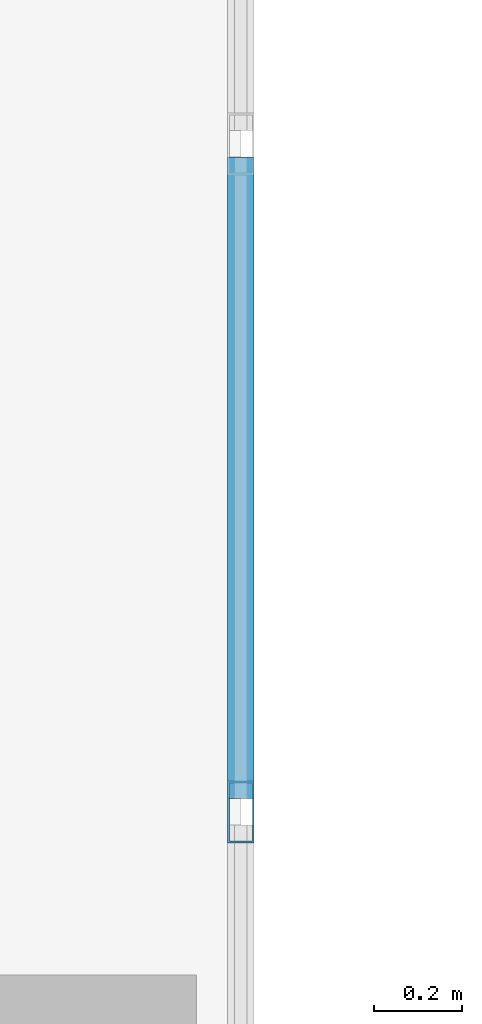
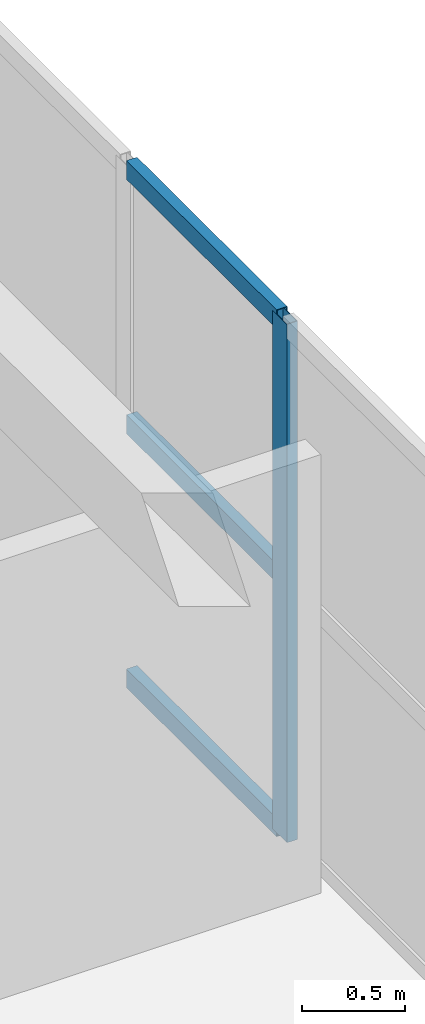
# One storey, part 109 of 200: 4 members, 1 element without a shape of its own.
"""IFC4 building model written with IfcOpenShell, lengths in metres."""

from ifc_helpers import new_model, si_unit, direction, frame, origin, origin_2d, place, context, subcontext, project, spatial, hollow_rectangle, extrude, material, layer, layer_set, material_profile, profile_set, type_object, element, aggregate, save


model = new_model("IFC4")

# Units and contexts
model_context = context("Model", 3, precision=1e-05, world=origin(), true_north=direction((0.0, 1.0)))
body_context = subcontext(model_context, "Body", "Model", "MODEL_VIEW")
ifc_project = project(units=[si_unit("LENGTHUNIT", "METRE"), si_unit("AREAUNIT", "SQUARE_METRE"), si_unit("VOLUMEUNIT", "CUBIC_METRE"), si_unit("PLANEANGLEUNIT", "RADIAN"), si_unit("MASSUNIT", "GRAM", prefix="KILO")], contexts=[model_context])

# Site, building, storey
site_placement = place(None, origin())
site = spatial("IfcSite", under=ifc_project, at=site_placement, CompositionType="ELEMENT")
building_placement = place(site_placement, origin())
building = spatial("IfcBuilding", under=site, at=building_placement, Name="Trelvath General Hospital", CompositionType="ELEMENT")
storey_placement = place(building_placement, frame((0.0, 0.0, 4.800048828125)))
storey = spatial("IfcBuildingStorey", under=building, at=storey_placement, Name="L01", CompositionType="ELEMENT", Elevation=4.800048828125)

# Curtain wall, members
ifc_material_1 = material(Name="Anodised aluminium and low-E glass", Category="aluminium")
ifc_layer = layer(ifc_material_1, 0.14990234375)
ifc_layer_set = layer_set([ifc_layer], Name="Anodised aluminium and low-E glass")
curtain_wall_type = type_object("IfcCurtainWallType", Name="CW CrystalCube 1664 306 15", PredefinedType="USERDEFINED", material=ifc_layer_set)
curtain_wall_placement = place(storey_placement, origin())
curtain_wall = element("IfcCurtainWall", 1, at=curtain_wall_placement, inside=storey, type_object=curtain_wall_type, Name="Crystal Cube Curtain Wall CUBE-E-T0 E4 L01", ObjectType="Unitised Glazed Curtain Wall", PredefinedType="USERDEFINED")
ifc_material_2 = material(Name="Anodised aluminium", Category="aluminium")
ifc_material_profile_1 = material_profile(ifc_material_2, hollow_rectangle(XDim=0.06005859375, YDim=0.139892578125, WallThickness=0.00390625, at=origin_2d()), Name="RHS60x140x4")
ifc_profile_set_1 = profile_set([ifc_material_profile_1], Name="Anodised aluminium")
member_type_1 = type_object("IfcMemberType", Name="CurtainMullion 60x140", PredefinedType="MULLION", material=ifc_profile_set_1)
member_1_placement = place(storey_placement, frame((121.199951171875, 64.094482421875, 0.0), z_axis=(0.0, 0.0, 1.0), x_axis=(1.0, 0.0, 0.0)))
member_1 = element("IfcMember", 2, at=member_1_placement, type_object=member_type_1, Name="CW-165 mullion 3", PredefinedType="MULLION", context=body_context, shape_type="SweptSolid", body=[
    extrude(hollow_rectangle(XDim=0.06005859375, YDim=0.139892578125, WallThickness=0.00390625, at=origin_2d()), origin(), (0.0, 0.0, 1.0), 3.06005859375),
])
ifc_material_3 = material(Name="Anodised aluminium", Category="aluminium")
ifc_material_profile_2 = material_profile(ifc_material_3, hollow_rectangle(XDim=0.06005859375, YDim=0.110107421875, WallThickness=0.00390625, at=origin_2d()), Name="RHS60x110x4")
ifc_profile_set_2 = profile_set([ifc_material_profile_2], Name="Anodised aluminium")
member_type_2 = type_object("IfcMemberType", Name="CurtainTransom 60x110", PredefinedType="USERDEFINED", material=ifc_profile_set_2)
member_2_placement = place(storey_placement, frame((121.199951171875, 65.577392578125, 0.030029296875), z_axis=(0.0, -1.0, 0.0), x_axis=(1.0, 0.0, 0.0)))
member_2 = element("IfcMember", 3, at=member_2_placement, type_object=member_type_2, Name="CW-165 transom 2.1", ObjectType="TRANSOM", PredefinedType="USERDEFINED", context=body_context, shape_type="SweptSolid", body=[
    extrude(hollow_rectangle(XDim=0.06005859375, YDim=0.110107421875, WallThickness=0.00390625, at=origin_2d()), origin(), (0.0, 0.0, 1.0), 1.452880859375),
])
member_3_placement = place(storey_placement, frame((121.199951171875, 65.577392578125, 1.530029296875), z_axis=(0.0, -1.0, 0.0), x_axis=(1.0, 0.0, 0.0)))
member_3 = element("IfcMember", 4, at=member_3_placement, type_object=member_type_2, Name="CW-165 transom 2.2", ObjectType="TRANSOM", PredefinedType="USERDEFINED", context=body_context, shape_type="SweptSolid", body=[
    extrude(hollow_rectangle(XDim=0.06005859375, YDim=0.110107421875, WallThickness=0.00390625, at=origin_2d()), origin(), (0.0, 0.0, 1.0), 1.452880859375),
])
member_4_placement = place(storey_placement, frame((121.199951171875, 65.577392578125, 3.030029296875), z_axis=(0.0, -1.0, 0.0), x_axis=(1.0, 0.0, 0.0)))
member_4 = element("IfcMember", 5, at=member_4_placement, type_object=member_type_2, Name="CW-165 transom 2.3", ObjectType="TRANSOM", PredefinedType="USERDEFINED", context=body_context, shape_type="SweptSolid", body=[
    extrude(hollow_rectangle(XDim=0.06005859375, YDim=0.110107421875, WallThickness=0.00390625, at=origin_2d()), origin(), (0.0, 0.0, 1.0), 1.452880859375),
])
aggregate(curtain_wall, [member_1, member_2, member_3, member_4])

save(model, "model.ifc")
